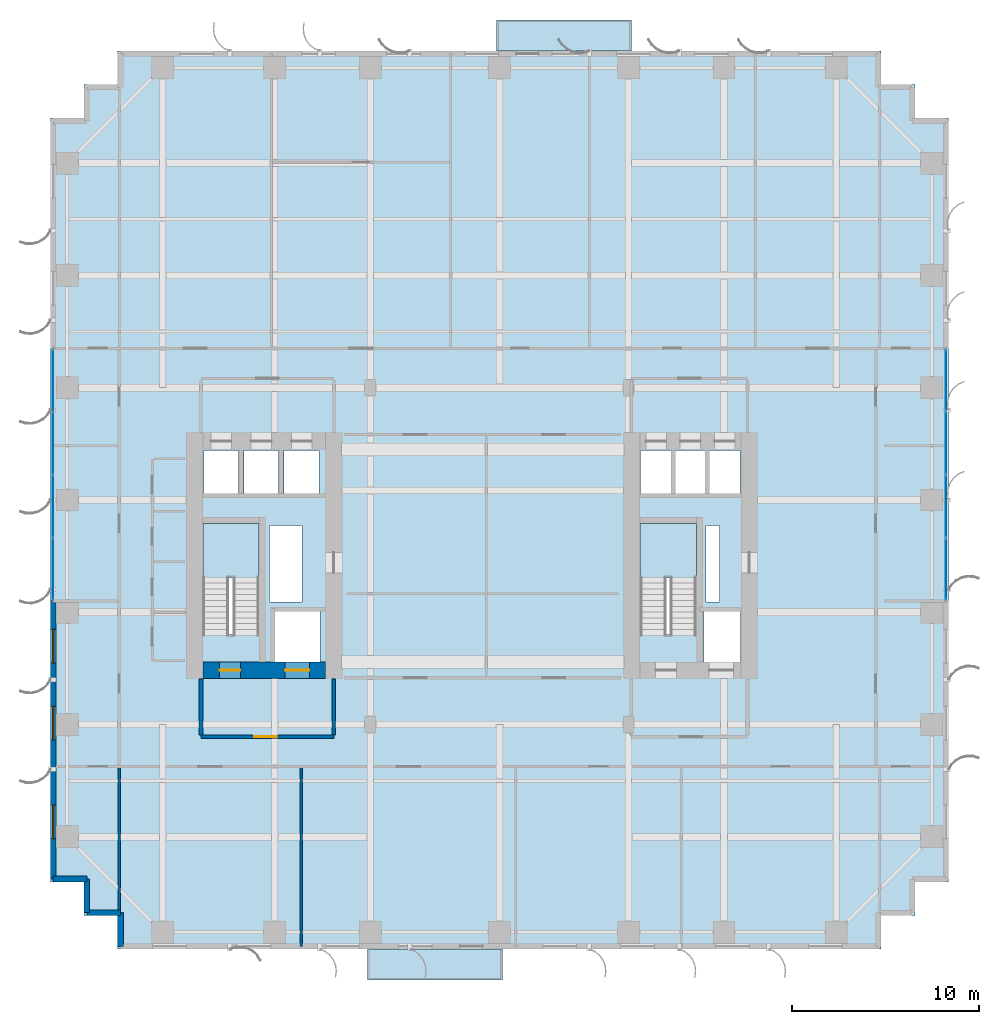
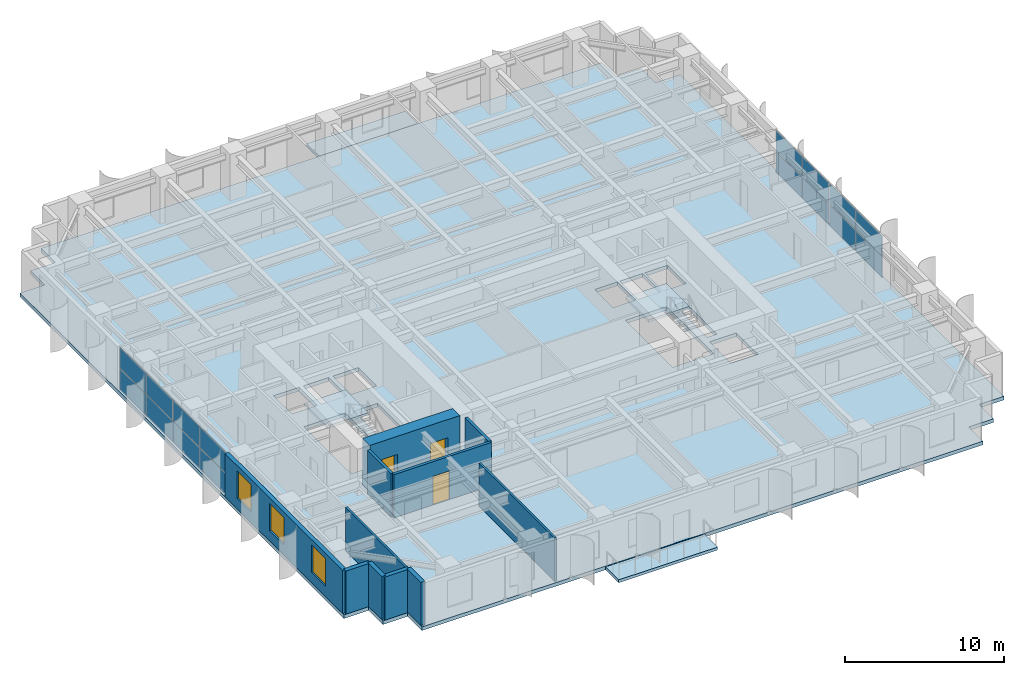
# One storey, part 8 of 16: 16 plates, 11 walls, 5 slabs, 3 doors, 3 windows, 6 openings, 4 elements without a shape of their own.
"""IFC4 building model written with IfcOpenShell, lengths in metres."""

from ifc_helpers import new_model, si_unit, direction, frame, frame_2d, origin, origin_2d, place, context, subcontext, project, spatial, polyline, rectangle, outline, extrude, source, transform, mapped, material, layer, layer_set, type_object, element, fill, aggregate, save


model = new_model("IFC4")

# Units and contexts
model_context = context("Model", 3, precision=1e-05, world=origin(), true_north=direction((0.0, 1.0)))
body_context = subcontext(model_context, "Body", "Model", "MODEL_VIEW")
ifc_project = project(units=[si_unit("LENGTHUNIT", "METRE"), si_unit("AREAUNIT", "SQUARE_METRE"), si_unit("VOLUMEUNIT", "CUBIC_METRE"), si_unit("PLANEANGLEUNIT", "RADIAN"), si_unit("MASSUNIT", "GRAM", prefix="KILO")], contexts=[model_context])

# Site, building, storey
site_placement = place(None, origin())
site = spatial("IfcSite", under=ifc_project, at=site_placement, CompositionType="ELEMENT")
building_placement = place(site_placement, origin())
building = spatial("IfcBuilding", under=site, at=building_placement, Name="Khoralis Quay Care Tower", CompositionType="ELEMENT")
storey_placement = place(building_placement, frame((0.0, 0.0, 29.699951171875)))
storey = spatial("IfcBuildingStorey", under=building, at=storey_placement, Name="L07", CompositionType="ELEMENT", Elevation=29.699951171875)

# Slabs
ifc_material_1 = material(Name="Concrete C45/55", Category="concrete")
ifc_layer_1 = layer(ifc_material_1, 0.219970703125)
ifc_layer_set_1 = layer_set([ifc_layer_1], Name="Concrete C45/55")
slab_type_1 = type_object("IfcSlabType", Name="SLB-EXT-BALC-220", PredefinedType="FLOOR", material=ifc_layer_set_1)
slab_1_placement = place(storey_placement, frame((0.0, 0.0, -0.280029296875)))
element("IfcSlab", 1, at=slab_1_placement, inside=storey, type_object=slab_type_1, Name="L07 Senior Loggia Balcony Slab P1E0", PredefinedType="FLOOR", context=body_context, shape_type="SweptSolid", body=[
    extrude(outline(polyline([(16.949951171875, -1.64990234375), (24.14990234375, -1.64990234375), (24.14990234375, 0.0), (16.949951171875, 0.0), (16.949951171875, -1.64990234375)])), origin(), (0.0, 0.0, 1.0), 0.219970703125),
])
slab_2_placement = place(storey_placement, frame((0.0, 0.0, -0.280029296875)))
element("IfcSlab", 2, at=slab_2_placement, inside=storey, type_object=slab_type_1, Name="L07 Senior Loggia Balcony Slab P1E10", PredefinedType="FLOOR", context=body_context, shape_type="SweptSolid", body=[
    extrude(outline(polyline([(23.85009765625, 48.0), (31.050048828125, 48.0), (31.050048828125, 49.64990234375), (23.85009765625, 49.64990234375), (23.85009765625, 48.0)])), origin(), (0.0, 0.0, 1.0), 0.219970703125),
])

# Stair, slab
ifc_material_2 = material(Name="Precast concrete C45/55", Category="concrete")
stair_type = type_object("IfcStairType", Name="ST-TWR-DOGLEG-1400", PredefinedType="HALF_TURN_STAIR", material=ifc_material_2)
stair_1_placement = place(storey_placement, origin())
stair_1 = element("IfcStair", 3, at=stair_1_placement, inside=storey, type_object=stair_type, Name="L07 West Core Exit Stair ST-T1", PredefinedType="HALF_TURN_STAIR")
ifc_layer_2 = layer(ifc_material_2, 0.199951171875)
ifc_layer_set_2 = layer_set([ifc_layer_2], Name="Precast concrete C45/55")
slab_type_2 = type_object("IfcSlabType", Name="SLB-LANDING-200", PredefinedType="LANDING", material=ifc_layer_set_2)
slab_3_placement = place(storey_placement, frame((0.0, 0.0, 1.60009765625)))
slab_3 = element("IfcSlab", 4, at=slab_3_placement, type_object=slab_type_2, Name="ST-T1 landing 1", PredefinedType="LANDING", context=body_context, shape_type="SweptSolid", body=[
    extrude(outline(polyline([(11.14990234375, 19.840087890625), (11.14990234375, 22.75), (8.14990234375, 22.75), (8.14990234375, 19.840087890625), (11.14990234375, 19.840087890625)])), origin(), (0.0, 0.0, 1.0), 0.199951171875),
])
aggregate(stair_1, [slab_3])

stair_2_placement = place(storey_placement, origin())
stair_2 = element("IfcStair", 5, at=stair_2_placement, inside=storey, type_object=stair_type, Name="L07 East Core Exit Stair ST-T2", PredefinedType="HALF_TURN_STAIR")
slab_4_placement = place(storey_placement, frame((0.0, 0.0, 1.60009765625)))
slab_4 = element("IfcSlab", 6, at=slab_4_placement, type_object=slab_type_2, Name="ST-T2 landing 1", PredefinedType="LANDING", context=body_context, shape_type="SweptSolid", body=[
    extrude(outline(polyline([(34.52001953125, 19.840087890625), (34.52001953125, 22.75), (31.52001953125, 22.75), (31.52001953125, 19.840087890625), (34.52001953125, 19.840087890625)])), origin(), (0.0, 0.0, 1.0), 0.199951171875),
])
aggregate(stair_2, [slab_4])

# Slab
ifc_material_3 = material(Name="Concrete C40/50", Category="concrete")
ifc_layer_3 = layer(ifc_material_3, 0.280029296875)
ifc_layer_set_3 = layer_set([ifc_layer_3], Name="Concrete C40/50")
slab_type_3 = type_object("IfcSlabType", Name="SLB-TWR-280", PredefinedType="FLOOR", material=ifc_layer_set_3)
slab_5_placement = place(storey_placement, frame((0.0, 0.0, -0.280029296875)))
element("IfcSlab", 7, at=slab_5_placement, inside=storey, type_object=slab_type_3, Name="Tower Floor Slab L07", PredefinedType="FLOOR", context=body_context, shape_type="SweptSolid", body=[
    extrude(outline(polyline([(3.60009765625, 0.0), (44.39990234375, 0.0), (44.39990234375, 1.800048828125), (46.199951171875, 1.800048828125), (46.199951171875, 3.60009765625), (48.0, 3.60009765625), (48.0, 44.39990234375), (46.199951171875, 44.39990234375), (46.199951171875, 46.199951171875), (44.39990234375, 46.199951171875), (44.39990234375, 48.0), (3.60009765625, 48.0), (3.60009765625, 46.199951171875), (1.800048828125, 46.199951171875), (1.800048828125, 44.39990234375), (0.0, 44.39990234375), (0.0, 3.60009765625), (1.800048828125, 3.60009765625), (1.800048828125, 1.800048828125), (3.60009765625, 1.800048828125), (3.60009765625, 0.0)]), holes=[polyline([(11.14990234375, 16.800048828125), (11.14990234375, 22.75), (8.14990234375, 22.75), (8.14990234375, 16.800048828125), (11.14990234375, 16.800048828125)]), polyline([(34.52001953125, 16.800048828125), (34.52001953125, 22.75), (31.52001953125, 22.75), (31.52001953125, 16.800048828125), (34.52001953125, 16.800048828125)]), polyline([(12.0, 15.35009765625), (14.39990234375, 15.35009765625), (14.39990234375, 18.050048828125), (12.0, 18.050048828125), (12.0, 15.35009765625)]), polyline([(34.919921875, 15.35009765625), (36.8798828125, 15.35009765625), (36.8798828125, 18.050048828125), (34.919921875, 18.050048828125), (34.919921875, 15.35009765625)]), polyline([(8.199951171875, 24.35009765625), (10.050048828125, 24.35009765625), (10.050048828125, 26.64990234375), (8.199951171875, 26.64990234375), (8.199951171875, 24.35009765625)]), polyline([(31.550048828125, 24.35009765625), (33.199951171875, 24.35009765625), (33.199951171875, 26.64990234375), (31.550048828125, 26.64990234375), (31.550048828125, 24.35009765625)]), polyline([(10.35009765625, 24.35009765625), (12.199951171875, 24.35009765625), (12.199951171875, 26.64990234375), (10.35009765625, 26.64990234375), (10.35009765625, 24.35009765625)]), polyline([(33.3798828125, 24.35009765625), (35.030029296875, 24.35009765625), (35.030029296875, 26.64990234375), (33.3798828125, 26.64990234375), (33.3798828125, 24.35009765625)]), polyline([(12.5, 24.35009765625), (14.35009765625, 24.35009765625), (14.35009765625, 26.64990234375), (12.5, 26.64990234375), (12.5, 24.35009765625)]), polyline([(35.199951171875, 24.35009765625), (36.85009765625, 24.35009765625), (36.85009765625, 26.64990234375), (35.199951171875, 26.64990234375), (35.199951171875, 24.35009765625)]), polyline([(11.719970703125, 18.550048828125), (13.449951171875, 18.550048828125), (13.449951171875, 22.64990234375), (11.719970703125, 22.64990234375), (11.719970703125, 18.550048828125)]), polyline([(35.050048828125, 18.550048828125), (35.75, 18.550048828125), (35.75, 22.64990234375), (35.050048828125, 22.64990234375), (35.050048828125, 18.550048828125)])]), origin(), (0.0, 0.0, 1.0), 0.280029296875),
])

# Curtain wall, plates
ifc_material_4 = material(Name="Pale anodised aluminium", Category="aluminium")
ifc_layer_4 = layer(ifc_material_4, 0.179931640625)
ifc_layer_set_4 = layer_set([ifc_layer_4], Name="Pale anodised aluminium")
curtain_wall_type = type_object("IfcCurtainWallType", Name="CW-SYS-Z1", PredefinedType="NOTDEFINED", material=ifc_layer_set_4)
curtain_wall_1_placement = place(storey_placement, origin())
curtain_wall_1 = element("IfcCurtainWall", 8, at=curtain_wall_1_placement, inside=storey, type_object=curtain_wall_type, Name="L07 Unitised Curtain Wall CW-L07-P1-E5", PredefinedType="NOTDEFINED")
ifc_material_5 = material(Name="Low-E solar-control double glazing", Category="glass")
ifc_layer_5 = layer(ifc_material_5, 0.031982421875)
ifc_layer_set_5 = layer_set([ifc_layer_5], Name="Low-E solar-control double glazing")
plate_type = type_object("IfcPlateType", Name="PNL-VIS-32", PredefinedType="CURTAIN_PANEL", material=ifc_layer_set_5)
shared_shape_1 = source(origin(), body_context, "Body", "SweptSolid", [
    extrude(rectangle(XDim=3.284912109375, YDim=0.028076171875, at=origin_2d()), origin(), (0.0, 0.0, 1.0), 1.570068359375),
])
plate_1_placement = place(storey_placement, frame((47.85009765625, 20.302490234375, 0.06005859375), z_axis=(0.0, 0.0, 1.0), x_axis=(0.0, 1.0, 0.0)))
plate_1 = element("IfcPlate", 9, at=plate_1_placement, type_object=plate_type, Name="CW1 panel 1.1", PredefinedType="CURTAIN_PANEL", context=body_context, shape_type="MappedRepresentation", body=[
    mapped(shared_shape_1, transform((0.0, 0.0, 0.0), scale=1.0)),
])
plate_2_placement = place(storey_placement, frame((47.85009765625, 20.302490234375, 1.68994140625), z_axis=(0.0, 0.0, 1.0), x_axis=(0.0, 1.0, 0.0)))
plate_2 = element("IfcPlate", 10, at=plate_2_placement, type_object=plate_type, Name="CW1 panel 1.2", PredefinedType="CURTAIN_PANEL", context=body_context, shape_type="MappedRepresentation", body=[
    mapped(shared_shape_1, transform((0.0, 0.0, 0.0), scale=1.0)),
])
plate_3_placement = place(storey_placement, frame((47.85009765625, 30.3974609375, 0.06005859375), z_axis=(0.0, 0.0, 1.0), x_axis=(0.0, 1.0, 0.0)))
plate_3 = element("IfcPlate", 11, at=plate_3_placement, type_object=plate_type, Name="CW1 panel 4.1", PredefinedType="CURTAIN_PANEL", context=body_context, shape_type="MappedRepresentation", body=[
    mapped(shared_shape_1, transform((0.0, 0.0, 0.0), scale=1.0)),
])
plate_4_placement = place(storey_placement, frame((47.85009765625, 30.3974609375, 1.68994140625), z_axis=(0.0, 0.0, 1.0), x_axis=(0.0, 1.0, 0.0)))
plate_4 = element("IfcPlate", 12, at=plate_4_placement, type_object=plate_type, Name="CW1 panel 4.2", PredefinedType="CURTAIN_PANEL", context=body_context, shape_type="MappedRepresentation", body=[
    mapped(shared_shape_1, transform((0.0, 0.0, 0.0), scale=1.0)),
])

curtain_wall_2_placement = place(storey_placement, origin())
curtain_wall_2 = element("IfcCurtainWall", 13, at=curtain_wall_2_placement, inside=storey, type_object=curtain_wall_type, Name="L07 Unitised Curtain Wall CW-L07-P1-E15", PredefinedType="NOTDEFINED")
plate_5_placement = place(storey_placement, frame((0.14990234375, 30.3974609375, 0.06005859375), z_axis=(0.0, 0.0, 1.0), x_axis=(0.0, -1.0, 0.0)))
plate_5 = element("IfcPlate", 14, at=plate_5_placement, type_object=plate_type, Name="CW1 panel 1.1", PredefinedType="CURTAIN_PANEL", context=body_context, shape_type="MappedRepresentation", body=[
    mapped(shared_shape_1, transform((0.0, 0.0, 0.0), scale=1.0)),
])
plate_6_placement = place(storey_placement, frame((0.14990234375, 30.3974609375, 1.68994140625), z_axis=(0.0, 0.0, 1.0), x_axis=(0.0, -1.0, 0.0)))
plate_6 = element("IfcPlate", 15, at=plate_6_placement, type_object=plate_type, Name="CW1 panel 1.2", PredefinedType="CURTAIN_PANEL", context=body_context, shape_type="MappedRepresentation", body=[
    mapped(shared_shape_1, transform((0.0, 0.0, 0.0), scale=1.0)),
])
plate_7_placement = place(storey_placement, frame((0.14990234375, 20.302490234375, 0.06005859375), z_axis=(0.0, 0.0, 1.0), x_axis=(0.0, -1.0, 0.0)))
plate_7 = element("IfcPlate", 16, at=plate_7_placement, type_object=plate_type, Name="CW1 panel 4.1", PredefinedType="CURTAIN_PANEL", context=body_context, shape_type="MappedRepresentation", body=[
    mapped(shared_shape_1, transform((0.0, 0.0, 0.0), scale=1.0)),
])
plate_8_placement = place(storey_placement, frame((0.14990234375, 20.302490234375, 1.68994140625), z_axis=(0.0, 0.0, 1.0), x_axis=(0.0, -1.0, 0.0)))
plate_8 = element("IfcPlate", 17, at=plate_8_placement, type_object=plate_type, Name="CW1 panel 4.2", PredefinedType="CURTAIN_PANEL", context=body_context, shape_type="MappedRepresentation", body=[
    mapped(shared_shape_1, transform((0.0, 0.0, 0.0), scale=1.0)),
])

# Plate
shared_shape_2 = source(origin(), body_context, "Body", "SweptSolid", [
    extrude(rectangle(XDim=3.31494140625, YDim=0.028076171875, at=origin_2d()), origin(), (0.0, 0.0, 1.0), 1.570068359375),
])
plate_9_placement = place(storey_placement, frame((47.85009765625, 23.66259765625, 0.06005859375), z_axis=(0.0, 0.0, 1.0), x_axis=(0.0, 1.0, 0.0)))
plate_9 = element("IfcPlate", 18, at=plate_9_placement, type_object=plate_type, Name="CW1 panel 2.1", PredefinedType="CURTAIN_PANEL", context=body_context, shape_type="MappedRepresentation", body=[
    mapped(shared_shape_2, transform((0.0, 0.0, 0.0), scale=1.0)),
])

plate_10_placement = place(storey_placement, frame((47.85009765625, 23.66259765625, 1.68994140625), z_axis=(0.0, 0.0, 1.0), x_axis=(0.0, 1.0, 0.0)))
plate_10 = element("IfcPlate", 19, at=plate_10_placement, type_object=plate_type, Name="CW1 panel 2.2", PredefinedType="CURTAIN_PANEL", context=body_context, shape_type="MappedRepresentation", body=[
    mapped(shared_shape_2, transform((0.0, 0.0, 0.0), scale=1.0)),
])

plate_11_placement = place(storey_placement, frame((47.85009765625, 27.03759765625, 0.06005859375), z_axis=(0.0, 0.0, 1.0), x_axis=(0.0, 1.0, 0.0)))
plate_11 = element("IfcPlate", 20, at=plate_11_placement, type_object=plate_type, Name="CW1 panel 3.1", PredefinedType="CURTAIN_PANEL", context=body_context, shape_type="MappedRepresentation", body=[
    mapped(shared_shape_2, transform((0.0, 0.0, 0.0), scale=1.0)),
])

plate_12_placement = place(storey_placement, frame((47.85009765625, 27.03759765625, 1.68994140625), z_axis=(0.0, 0.0, 1.0), x_axis=(0.0, 1.0, 0.0)))
plate_12 = element("IfcPlate", 21, at=plate_12_placement, type_object=plate_type, Name="CW1 panel 3.2", PredefinedType="CURTAIN_PANEL", context=body_context, shape_type="MappedRepresentation", body=[
    mapped(shared_shape_2, transform((0.0, 0.0, 0.0), scale=1.0)),
])

aggregate(curtain_wall_1, [plate_1, plate_2, plate_9, plate_10, plate_11, plate_12, plate_3, plate_4])

plate_13_placement = place(storey_placement, frame((0.14990234375, 27.03759765625, 0.06005859375), z_axis=(0.0, 0.0, 1.0), x_axis=(0.0, -1.0, 0.0)))
plate_13 = element("IfcPlate", 22, at=plate_13_placement, type_object=plate_type, Name="CW1 panel 2.1", PredefinedType="CURTAIN_PANEL", context=body_context, shape_type="MappedRepresentation", body=[
    mapped(shared_shape_2, transform((0.0, 0.0, 0.0), scale=1.0)),
])

plate_14_placement = place(storey_placement, frame((0.14990234375, 27.03759765625, 1.68994140625), z_axis=(0.0, 0.0, 1.0), x_axis=(0.0, -1.0, 0.0)))
plate_14 = element("IfcPlate", 23, at=plate_14_placement, type_object=plate_type, Name="CW1 panel 2.2", PredefinedType="CURTAIN_PANEL", context=body_context, shape_type="MappedRepresentation", body=[
    mapped(shared_shape_2, transform((0.0, 0.0, 0.0), scale=1.0)),
])

plate_15_placement = place(storey_placement, frame((0.14990234375, 23.66259765625, 0.06005859375), z_axis=(0.0, 0.0, 1.0), x_axis=(0.0, -1.0, 0.0)))
plate_15 = element("IfcPlate", 24, at=plate_15_placement, type_object=plate_type, Name="CW1 panel 3.1", PredefinedType="CURTAIN_PANEL", context=body_context, shape_type="MappedRepresentation", body=[
    mapped(shared_shape_2, transform((0.0, 0.0, 0.0), scale=1.0)),
])

plate_16_placement = place(storey_placement, frame((0.14990234375, 23.66259765625, 1.68994140625), z_axis=(0.0, 0.0, 1.0), x_axis=(0.0, -1.0, 0.0)))
plate_16 = element("IfcPlate", 25, at=plate_16_placement, type_object=plate_type, Name="CW1 panel 3.2", PredefinedType="CURTAIN_PANEL", context=body_context, shape_type="MappedRepresentation", body=[
    mapped(shared_shape_2, transform((0.0, 0.0, 0.0), scale=1.0)),
])

aggregate(curtain_wall_2, [plate_5, plate_6, plate_13, plate_14, plate_15, plate_16, plate_7, plate_8])

# Wall, opening, door
ifc_material_6 = material(Name="Gypsum plasterboard on acoustic metal stud")
ifc_layer_6 = layer(ifc_material_6, 0.199951171875)
ifc_layer_set_6 = layer_set([ifc_layer_6], Name="Gypsum plasterboard on acoustic metal stud")
wall_type_1 = type_object("IfcWallType", Name="WL-COMP-200", PredefinedType="PARTITIONING", material=ifc_layer_set_6)
wall_1_placement = place(storey_placement, frame((8.050048828125, 11.35009765625, 0.0), z_axis=(0.0, 0.0, 1.0), x_axis=(1.0, 0.0, 0.0)))
wall_1 = element("IfcWall", 26, at=wall_1_placement, inside=storey, type_object=wall_type_1, Name="L07 West Firefighting Lobby South Wall", PredefinedType="PARTITIONING", context=body_context, shape_type="SweptSolid", body=[
    extrude(rectangle(XDim=7.099853515625, YDim=0.199951171875, at=frame_2d((3.5498046875, 0.0))), origin(), (0.0, 0.0, 1.0), 3.320068359375),
])
opening_1_placement = place(wall_1_placement, frame((2.846435546875, 0.0, 0.0)))
opening_1 = element("IfcOpeningElement", 27, at=opening_1_placement, cuts=wall_1, Name="Opening FD1", PredefinedType="OPENING", context=body_context, shape_type="SweptSolid", body=[
    extrude(rectangle(XDim=1.199951171875, YDim=2.199951171875, at=frame_2d((0.60009765625, 1.10009765625))), frame((0.0, 0.10986328125, 0.0), z_axis=(0.0, -1.0, 0.0), x_axis=(1.0, 0.0, 0.0)), (0.0, 0.0, 1.0), 0.219970703125),
])
ifc_material_7 = material(Name="Fire-rated painted steel", Category="steel")
door_type_1 = type_object("IfcDoorType", Name="DR-FFL-1200X2200", OperationType="NOTDEFINED", PredefinedType="DOOR", material=ifc_material_7)
shared_shape_3 = source(origin(), body_context, "Body", "SweptSolid", [
    extrude(rectangle(XDim=1.199951171875, YDim=2.199951171875, at=frame_2d((0.60009765625, 1.10009765625))), frame((0.0, 0.02490234375, 0.0), z_axis=(0.0, -1.0, 0.0), x_axis=(1.0, 0.0, 0.0)), (0.0, 0.0, 1.0), 0.050048828125),
])
door_1_placement = place(opening_1_placement, origin())
door_1 = element("IfcDoor", 28, at=door_1_placement, inside=storey, type_object=door_type_1, Name="L07 West Firefighting Lobby Fire Door", OperationType="SINGLE_SWING_LEFT", OverallHeight=2.199951171875, OverallWidth=1.199951171875, PredefinedType="DOOR", context=body_context, shape_type="MappedRepresentation", body=[
    mapped(shared_shape_3, transform((0.0, 0.0, 0.0), scale=1.0)),
])
fill(opening_1, door_1)

# Walls
for number, where, z_axis, x_axis, name in (
    (29, (8.050048828125, 11.445068359375, 0.0), (0.0, 0.0, 1.0), (0.0, 1.0, 0.0), "L07 West Firefighting Lobby West Wall"),
    (30, (15.14990234375, 11.445068359375, 0.0), (0.0, 0.0, 1.0), (0.0, 1.0, 0.0), "L07 West Firefighting Lobby East Wall"),
):
    element("IfcWall", number, at=place(storey_placement, frame(where, z_axis=z_axis, x_axis=x_axis)), inside=storey, type_object=wall_type_1, Name=name, PredefinedType="PARTITIONING", context=body_context, shape_type="SweptSolid", body=[
        extrude(rectangle(XDim=2.98486328125, YDim=0.199951171875, at=frame_2d((1.492431640625, 0.0))), origin(), (0.0, 0.0, 1.0), 3.320068359375),
    ])

# Wall, openings, doors
ifc_material_8 = material(Name="Concrete C80/95", Category="concrete")
ifc_layer_7 = layer(ifc_material_8, 0.89990234375)
ifc_layer_set_7 = layer_set([ifc_layer_7], Name="Concrete C80/95")
wall_type_2 = type_object("IfcWallType", Name="WL-CORE-900", PredefinedType="SHEAR", material=ifc_layer_set_7)
wall_2_placement = place(storey_placement, frame((8.14990234375, 14.89990234375, 0.0), z_axis=(0.0, 0.0, 1.0), x_axis=(1.0, 0.0, 0.0)))
wall_2 = element("IfcWall", 31, at=wall_2_placement, inside=storey, type_object=wall_type_2, Name="L07 WCORE South Shear Wall", PredefinedType="SHEAR", context=body_context, shape_type="SweptSolid", body=[
    extrude(rectangle(XDim=6.550048828125, YDim=0.89990234375, at=frame_2d((3.27490234375, 0.0))), origin(), (0.0, 0.0, 1.0), 3.60009765625),
])
opening_2_placement = place(wall_2_placement, frame((0.89990234375, 0.0, 0.0)))
opening_2 = element("IfcOpeningElement", 32, at=opening_2_placement, cuts=wall_2, Name="Opening SD1", PredefinedType="OPENING", context=body_context, shape_type="SweptSolid", body=[
    extrude(rectangle(XDim=1.10009765625, YDim=2.199951171875, at=frame_2d((0.550048828125, 1.10009765625))), frame((0.0, 0.4599609375, 0.0), z_axis=(0.0, -1.0, 0.0), x_axis=(1.0, 0.0, 0.0)), (0.0, 0.0, 1.0), 0.919921875),
])
opening_3_placement = place(wall_2_placement, frame((4.39990234375, 0.0, 0.0)))
opening_3 = element("IfcOpeningElement", 33, at=opening_3_placement, cuts=wall_2, Name="Opening LD2", PredefinedType="OPENING", context=body_context, shape_type="SweptSolid", body=[
    extrude(rectangle(XDim=1.300048828125, YDim=2.199951171875, at=frame_2d((0.64990234375, 1.10009765625))), frame((0.0, 0.4599609375, 0.0), z_axis=(0.0, -1.0, 0.0), x_axis=(1.0, 0.0, 0.0)), (0.0, 0.0, 1.0), 0.919921875),
])
door_type_2 = type_object("IfcDoorType", Name="DR-STAIR-1100X2200", OperationType="NOTDEFINED", PredefinedType="DOOR", material=ifc_material_7)
shared_shape_4 = source(origin(), body_context, "Body", "SweptSolid", [
    extrude(rectangle(XDim=1.10009765625, YDim=2.199951171875, at=frame_2d((0.550048828125, 1.10009765625))), frame((0.0, 0.02490234375, 0.0), z_axis=(0.0, -1.0, 0.0), x_axis=(1.0, 0.0, 0.0)), (0.0, 0.0, 1.0), 0.050048828125),
])
door_2_placement = place(opening_2_placement, origin())
door_2 = element("IfcDoor", 34, at=door_2_placement, inside=storey, type_object=door_type_2, Name="L07 Stair ST-T1 Fire Door", OperationType="SINGLE_SWING_LEFT", OverallHeight=2.199951171875, OverallWidth=1.10009765625, PredefinedType="DOOR", context=body_context, shape_type="MappedRepresentation", body=[
    mapped(shared_shape_4, transform((0.0, 0.0, 0.0), scale=1.0)),
])
fill(opening_2, door_2)
ifc_material_9 = material(Name="Brushed stainless steel", Category="steel")
door_type_3 = type_object("IfcDoorType", Name="DR-LIFT-1300X2200", OperationType="SLIDING_TO_RIGHT", PredefinedType="DOOR", material=ifc_material_9)
shared_shape_5 = source(origin(), body_context, "Body", "SweptSolid", [
    extrude(rectangle(XDim=1.300048828125, YDim=2.199951171875, at=frame_2d((0.64990234375, 1.10009765625))), frame((0.0, 0.02490234375, 0.0), z_axis=(0.0, -1.0, 0.0), x_axis=(1.0, 0.0, 0.0)), (0.0, 0.0, 1.0), 0.050048828125),
])
door_3_placement = place(opening_3_placement, origin())
door_3 = element("IfcDoor", 35, at=door_3_placement, inside=storey, type_object=door_type_3, Name="L07 Firefighting Lift FFL-1 Landing Door", OperationType="SLIDING_TO_RIGHT", OverallHeight=2.199951171875, OverallWidth=1.300048828125, PredefinedType="DOOR", context=body_context, shape_type="MappedRepresentation", body=[
    mapped(shared_shape_5, transform((0.0, 0.0, 0.0), scale=1.0)),
])
fill(opening_3, door_3)

# Wall, openings, windows
ifc_layer_8 = layer(ifc_material_2, 0.300048828125)
ifc_layer_set_8 = layer_set([ifc_layer_8], Name="Precast concrete C45/55")
wall_type_3 = type_object("IfcWallType", Name="WL-EXT-REF-300", PredefinedType="SOLIDWALL", material=ifc_layer_set_8)
wall_3_placement = place(storey_placement, frame((0.14990234375, 18.60009765625, 0.0), z_axis=(0.0, 0.0, 1.0), x_axis=(0.0, -1.0, 0.0)))
wall_3 = element("IfcWall", 36, at=wall_3_placement, inside=storey, type_object=wall_type_3, Name="L07 External Facade Wall WL-EXT-L07-P1-E15B", PredefinedType="SOLIDWALL", context=body_context, shape_type="SweptSolid", body=[
    extrude(rectangle(XDim=14.85009765625, YDim=0.300048828125, at=frame_2d((7.425048828125, 0.0))), origin(), (0.0, 0.0, 1.0), 3.320068359375),
])
opening_4_placement = place(wall_3_placement, frame((1.514892578125, 0.0, 0.800048828125)))
opening_4 = element("IfcOpeningElement", 37, at=opening_4_placement, cuts=wall_3, Name="Opening W2", PredefinedType="OPENING", context=body_context, shape_type="SweptSolid", body=[
    extrude(rectangle(XDim=1.800048828125, YDim=2.10009765625, at=frame_2d((0.89990234375, 1.050048828125))), frame((0.0, 0.16015625, 0.0), z_axis=(0.0, -1.0, 0.0), x_axis=(1.0, 0.0, 0.0)), (0.0, 0.0, 1.0), 0.320068359375),
])
opening_5_placement = place(wall_3_placement, frame((5.625, 0.0, 0.800048828125)))
opening_5 = element("IfcOpeningElement", 38, at=opening_5_placement, cuts=wall_3, Name="Opening W2", PredefinedType="OPENING", context=body_context, shape_type="SweptSolid", body=[
    extrude(rectangle(XDim=1.800048828125, YDim=2.10009765625, at=frame_2d((0.89990234375, 1.050048828125))), frame((0.0, 0.16015625, 0.0), z_axis=(0.0, -1.0, 0.0), x_axis=(1.0, 0.0, 0.0)), (0.0, 0.0, 1.0), 0.320068359375),
])
opening_6_placement = place(wall_3_placement, frame((10.89501953125, 0.0, 0.800048828125)))
opening_6 = element("IfcOpeningElement", 39, at=opening_6_placement, cuts=wall_3, Name="Opening W2", PredefinedType="OPENING", context=body_context, shape_type="SweptSolid", body=[
    extrude(rectangle(XDim=1.800048828125, YDim=2.10009765625, at=frame_2d((0.89990234375, 1.050048828125))), frame((0.0, 0.16015625, 0.0), z_axis=(0.0, -1.0, 0.0), x_axis=(1.0, 0.0, 0.0)), (0.0, 0.0, 1.0), 0.320068359375),
])
window_type = type_object("IfcWindowType", Name="WN-POD-1800X2100", PartitioningType="SINGLE_PANEL", PredefinedType="WINDOW", material=ifc_material_5)
shared_shape_6 = source(origin(), body_context, "Body", "SweptSolid", [
    extrude(rectangle(XDim=1.800048828125, YDim=2.10009765625, at=frame_2d((0.89990234375, 1.050048828125))), frame((0.0, 0.030029296875, 0.0), z_axis=(0.0, -1.0, 0.0), x_axis=(1.0, 0.0, 0.0)), (0.0, 0.0, 1.0), 0.06005859375),
])
window_1_placement = place(opening_4_placement, origin())
window_1 = element("IfcWindow", 40, at=window_1_placement, inside=storey, type_object=window_type, Name="WN-L07-P1-E15B Facade Window 01", OverallHeight=2.10009765625, OverallWidth=1.800048828125, PartitioningType="SINGLE_PANEL", PredefinedType="WINDOW", context=body_context, shape_type="MappedRepresentation", body=[
    mapped(shared_shape_6, transform((0.0, 0.0, 0.0), scale=1.0)),
])
fill(opening_4, window_1)
window_2_placement = place(opening_5_placement, origin())
window_2 = element("IfcWindow", 41, at=window_2_placement, inside=storey, type_object=window_type, Name="WN-L07-P1-E15B Facade Window 02", OverallHeight=2.10009765625, OverallWidth=1.800048828125, PartitioningType="SINGLE_PANEL", PredefinedType="WINDOW", context=body_context, shape_type="MappedRepresentation", body=[
    mapped(shared_shape_6, transform((0.0, 0.0, 0.0), scale=1.0)),
])
fill(opening_5, window_2)
window_3_placement = place(opening_6_placement, origin())
window_3 = element("IfcWindow", 42, at=window_3_placement, inside=storey, type_object=window_type, Name="WN-L07-P1-E15B Facade Window 03", OverallHeight=2.10009765625, OverallWidth=1.800048828125, PartitioningType="SINGLE_PANEL", PredefinedType="WINDOW", context=body_context, shape_type="MappedRepresentation", body=[
    mapped(shared_shape_6, transform((0.0, 0.0, 0.0), scale=1.0)),
])
fill(opening_6, window_3)

# Walls
for number, where, z_axis, x_axis, name in (
    (43, (0.14990234375, 3.75, 0.0), (0.0, 0.0, 1.0), (1.0, 0.0, 0.0), "L07 External Facade Wall WL-EXT-L07-P1-C16"),
    (44, (1.949951171875, 3.75, 0.0), (0.0, 0.0, 1.0), (0.0, -1.0, 0.0), "L07 External Facade Wall WL-EXT-L07-P1-C17"),
    (45, (1.949951171875, 1.949951171875, 0.0), (0.0, 0.0, 1.0), (1.0, 0.0, 0.0), "L07 External Facade Wall WL-EXT-L07-P1-C18"),
    (46, (3.75, 1.949951171875, 0.0), (0.0, 0.0, 1.0), (0.0, -1.0, 0.0), "L07 External Facade Wall WL-EXT-L07-P1-C19"),
):
    element("IfcWall", number, at=place(storey_placement, frame(where, z_axis=z_axis, x_axis=x_axis)), inside=storey, type_object=wall_type_3, Name=name, PredefinedType="SOLIDWALL", context=body_context, shape_type="SweptSolid", body=[
        extrude(rectangle(XDim=1.800048828125, YDim=0.300048828125, at=frame_2d((0.89990234375, 0.0))), origin(), (0.0, 0.0, 1.0), 3.320068359375),
    ])
ifc_layer_9 = layer(ifc_material_6, 0.139892578125)
ifc_layer_set_9 = layer_set([ifc_layer_9], Name="Gypsum plasterboard on acoustic metal stud")
wall_type_4 = type_object("IfcWallType", Name="WL-UNIT-140", PredefinedType="PARTITIONING", material=ifc_layer_set_9)
wall_4_placement = place(storey_placement, frame((3.679931640625, 1.945068359375, 0.0), z_axis=(0.0, 0.0, 1.0), x_axis=(0.0, 1.0, 0.0)))
element("IfcWall", 47, at=wall_4_placement, inside=storey, type_object=wall_type_4, Name="L07 SB Demising Wall 0", PredefinedType="PARTITIONING", context=body_context, shape_type="SweptSolid", body=[
    extrude(rectangle(XDim=7.737548828125, YDim=0.139892578125, at=frame_2d((3.86865234375, 0.0))), origin(), (0.0, 0.0, 1.0), 3.320068359375),
])
wall_5_placement = place(storey_placement, frame((13.39990234375, 0.14501953125, 0.0), z_axis=(0.0, 0.0, 1.0), x_axis=(0.0, 1.0, 0.0)))
element("IfcWall", 48, at=wall_5_placement, inside=storey, type_object=wall_type_4, Name="L07 SB Demising Wall 1", PredefinedType="PARTITIONING", context=body_context, shape_type="SweptSolid", body=[
    extrude(rectangle(XDim=9.53759765625, YDim=0.139892578125, at=frame_2d((4.768798828125, 0.0))), origin(), (0.0, 0.0, 1.0), 3.320068359375),
])

save(model, "model.ifc")
